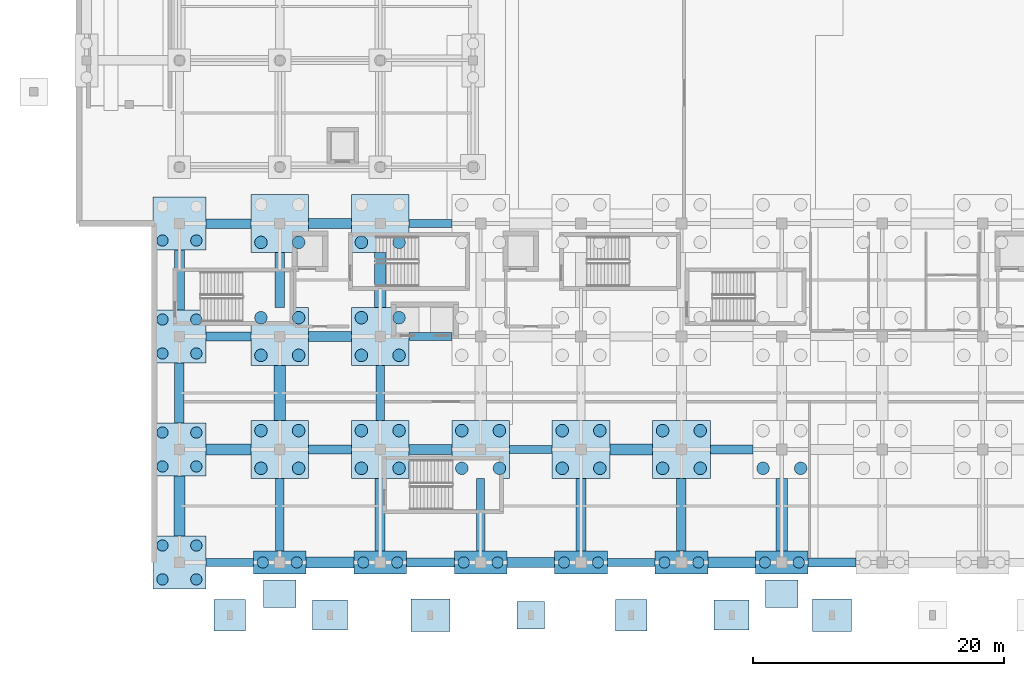
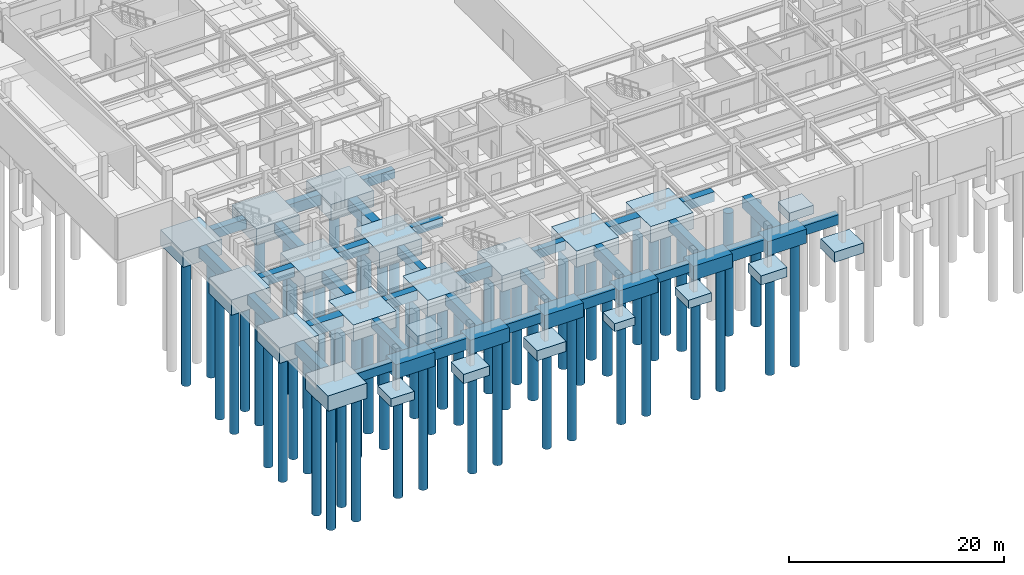
# One storey, part 1 of 48: 60 footings, 60 piles.
"""IFC4 building model written with IfcOpenShell, lengths in metres."""

from ifc_helpers import new_model, si_unit, direction, frame, origin, origin_2d, place, context, subcontext, project, spatial, polyline, rectangle, circle, outline, extrude, material, layer, layer_set, material_profile, profile_set, type_object, element, save


model = new_model("IFC4")

# Units and contexts
model_context = context("Model", 3, precision=1e-05, world=origin(), true_north=direction((0.0, 1.0)))
body_context = subcontext(model_context, "Body", "Model", "MODEL_VIEW")
ifc_project = project(units=[si_unit("LENGTHUNIT", "METRE"), si_unit("AREAUNIT", "SQUARE_METRE"), si_unit("VOLUMEUNIT", "CUBIC_METRE"), si_unit("PLANEANGLEUNIT", "RADIAN"), si_unit("MASSUNIT", "GRAM", prefix="KILO")], contexts=[model_context])

# Site, building, storey
site_placement = place(None, origin())
site = spatial("IfcSite", under=ifc_project, at=site_placement, CompositionType="ELEMENT")
building_placement = place(site_placement, origin())
building = spatial("IfcBuilding", under=site, at=building_placement, Name="Tlacozan Convention Centre", CompositionType="ELEMENT")
storey_placement = place(building_placement, frame((0.0, 0.0, -4.800048828125)))
storey = spatial("IfcBuildingStorey", under=building, at=storey_placement, Name="B01", CompositionType="ELEMENT", Elevation=-4.800048828125)

# Footings
ifc_material = material(Name="Concrete C35/45", Category="concrete")
ifc_layer_1 = layer(ifc_material, 1.0)
ifc_layer_set_1 = layer_set([ifc_layer_1], Name="Concrete C35/45")
footing_type_1 = type_object("IfcFootingType", Name="Foundation Tie Beam 650x1000", PredefinedType="FOOTING_BEAM", material=ifc_layer_set_1)
footing_1_placement = place(storey_placement, frame((0.0, 0.0, -1.0)))
element("IfcFooting", 1, at=footing_1_placement, inside=storey, type_object=footing_type_1, Name="Foundation Tie Beam X-1", PredefinedType="FOOTING_BEAM", context=body_context, shape_type="SweptSolid", body=[
    extrude(outline(polyline([(10.10009765625, -0.324951171875), (13.89990234375, -0.324951171875), (13.89990234375, 0.324951171875), (10.10009765625, 0.324951171875), (10.10009765625, -0.324951171875)])), origin(), (0.0, 0.0, 1.0), 1.0),
])
footing_2_placement = place(storey_placement, frame((0.0, 0.0, -1.0)))
element("IfcFooting", 2, at=footing_2_placement, inside=storey, type_object=footing_type_1, Name="Foundation Tie Beam X-5", PredefinedType="FOOTING_BEAM", context=body_context, shape_type="SweptSolid", body=[
    extrude(outline(polyline([(42.10009765625, -0.324951171875), (45.89990234375, -0.324951171875), (45.89990234375, 0.324951171875), (42.10009765625, 0.324951171875), (42.10009765625, -0.324951171875)])), origin(), (0.0, 0.0, 1.0), 1.0),
])
footing_3_placement = place(storey_placement, frame((0.0, 0.0, -1.0)))
element("IfcFooting", 3, at=footing_3_placement, inside=storey, type_object=footing_type_1, Name="Foundation Tie Beam X-17", PredefinedType="FOOTING_BEAM", context=body_context, shape_type="SweptSolid", body=[
    extrude(outline(polyline([(34.300048828125, 8.675048828125), (37.699951171875, 8.675048828125), (37.699951171875, 9.324951171875), (34.300048828125, 9.324951171875), (34.300048828125, 8.675048828125)])), origin(), (0.0, 0.0, 1.0), 1.0),
])
footing_4_placement = place(storey_placement, frame((0.0, 0.0, -1.0)))
element("IfcFooting", 4, at=footing_4_placement, inside=storey, type_object=footing_type_1, Name="Foundation Tie Beam X-29", PredefinedType="FOOTING_BEAM", context=body_context, shape_type="SweptSolid", body=[
    extrude(outline(polyline([(26.300048828125, 17.675048828125), (29.699951171875, 17.675048828125), (29.699951171875, 18.324951171875), (26.300048828125, 18.324951171875), (26.300048828125, 17.675048828125)])), origin(), (0.0, 0.0, 1.0), 1.0),
])
footing_5_placement = place(storey_placement, frame((0.0, 0.0, -1.0)))
element("IfcFooting", 5, at=footing_5_placement, inside=storey, type_object=footing_type_1, Name="Foundation Tie Beam X-49", PredefinedType="FOOTING_BEAM", context=body_context, shape_type="SweptSolid", body=[
    extrude(outline(polyline([(26.300048828125, 26.675048828125), (29.699951171875, 26.675048828125), (29.699951171875, 27.324951171875), (26.300048828125, 27.324951171875), (26.300048828125, 26.675048828125)])), origin(), (0.0, 0.0, 1.0), 1.0),
])
footing_6_placement = place(storey_placement, frame((0.0, 0.0, -1.0)))
element("IfcFooting", 6, at=footing_6_placement, inside=storey, type_object=footing_type_1, Name="Foundation Tie Beam Y-341", PredefinedType="FOOTING_BEAM", context=body_context, shape_type="SweptSolid", body=[
    extrude(outline(polyline([(15.675048828125, 0.89990234375), (16.324951171875, 0.89990234375), (16.324951171875, 6.699951171875), (15.675048828125, 6.699951171875), (15.675048828125, 0.89990234375)])), origin(), (0.0, 0.0, 1.0), 1.0),
])
footing_7_placement = place(storey_placement, frame((0.0, 0.0, -1.0)))
element("IfcFooting", 7, at=footing_7_placement, inside=storey, type_object=footing_type_1, Name="Foundation Tie Beam Y-357", PredefinedType="FOOTING_BEAM", context=body_context, shape_type="SweptSolid", body=[
    extrude(outline(polyline([(23.675048828125, 11.300048828125), (24.324951171875, 11.300048828125), (24.324951171875, 15.699951171875), (23.675048828125, 15.699951171875), (23.675048828125, 11.300048828125)])), origin(), (0.0, 0.0, 1.0), 1.0),
])
footing_8_placement = place(storey_placement, frame((0.0, 0.0, -1.0)))
element("IfcFooting", 8, at=footing_8_placement, inside=storey, type_object=footing_type_1, Name="Foundation Tie Beam Y-373", PredefinedType="FOOTING_BEAM", context=body_context, shape_type="SweptSolid", body=[
    extrude(outline(polyline([(31.675048828125, 0.89990234375), (32.324951171875, 0.89990234375), (32.324951171875, 6.699951171875), (31.675048828125, 6.699951171875), (31.675048828125, 0.89990234375)])), origin(), (0.0, 0.0, 1.0), 1.0),
])
ifc_layer_2 = layer(ifc_material, 1.10009765625)
ifc_layer_set_2 = layer_set([ifc_layer_2], Name="Concrete C35/45")
footing_type_2 = type_object("IfcFootingType", Name="Foundation Tie Beam 750x1100", PredefinedType="FOOTING_BEAM", material=ifc_layer_set_2)
footing_9_placement = place(storey_placement, frame((0.0, 0.0, -1.099853515625)))
element("IfcFooting", 9, at=footing_9_placement, inside=storey, type_object=footing_type_2, Name="Foundation Tie Beam X-3", PredefinedType="FOOTING_BEAM", context=body_context, shape_type="SweptSolid", body=[
    extrude(outline(polyline([(26.10009765625, -0.375), (29.89990234375, -0.375), (29.89990234375, 0.375), (26.10009765625, 0.375), (26.10009765625, -0.375)])), origin(), (0.0, 0.0, 1.0), 1.099853515625),
])
footing_10_placement = place(storey_placement, frame((0.0, 0.0, -1.099853515625)))
element("IfcFooting", 10, at=footing_10_placement, inside=storey, type_object=footing_type_2, Name="Foundation Tie Beam X-7", PredefinedType="FOOTING_BEAM", context=body_context, shape_type="SweptSolid", body=[
    extrude(outline(polyline([(58.10009765625, -0.375), (61.89990234375, -0.375), (61.89990234375, 0.375), (58.10009765625, 0.375), (58.10009765625, -0.375)])), origin(), (0.0, 0.0, 1.0), 1.099853515625),
])
footing_11_placement = place(storey_placement, frame((0.0, 0.0, -1.099853515625)))
element("IfcFooting", 11, at=footing_11_placement, inside=storey, type_object=footing_type_2, Name="Foundation Tie Beam X-15", PredefinedType="FOOTING_BEAM", context=body_context, shape_type="SweptSolid", body=[
    extrude(outline(polyline([(18.300048828125, 8.625), (21.699951171875, 8.625), (21.699951171875, 9.375), (18.300048828125, 9.375), (18.300048828125, 8.625)])), origin(), (0.0, 0.0, 1.0), 1.099853515625),
])
footing_12_placement = place(storey_placement, frame((0.0, 0.0, -1.099853515625)))
element("IfcFooting", 12, at=footing_12_placement, inside=storey, type_object=footing_type_2, Name="Foundation Tie Beam X-19", PredefinedType="FOOTING_BEAM", context=body_context, shape_type="SweptSolid", body=[
    extrude(outline(polyline([(50.300048828125, 8.625), (53.699951171875, 8.625), (53.699951171875, 9.375), (50.300048828125, 9.375), (50.300048828125, 8.625)])), origin(), (0.0, 0.0, 1.0), 1.099853515625),
])
footing_13_placement = place(storey_placement, frame((0.0, 0.0, -1.099853515625)))
element("IfcFooting", 13, at=footing_13_placement, inside=storey, type_object=footing_type_2, Name="Foundation Tie Beam X-27", PredefinedType="FOOTING_BEAM", context=body_context, shape_type="SweptSolid", body=[
    extrude(outline(polyline([(10.10009765625, 17.625), (13.699951171875, 17.625), (13.699951171875, 18.375), (10.10009765625, 18.375), (10.10009765625, 17.625)])), origin(), (0.0, 0.0, 1.0), 1.099853515625),
])
footing_14_placement = place(storey_placement, frame((0.0, 0.0, -1.099853515625)))
element("IfcFooting", 14, at=footing_14_placement, inside=storey, type_object=footing_type_2, Name="Foundation Tie Beam X-47", PredefinedType="FOOTING_BEAM", context=body_context, shape_type="SweptSolid", body=[
    extrude(outline(polyline([(10.10009765625, 26.625), (13.699951171875, 26.625), (13.699951171875, 27.375), (10.10009765625, 27.375), (10.10009765625, 26.625)])), origin(), (0.0, 0.0, 1.0), 1.099853515625),
])
footing_15_placement = place(storey_placement, frame((0.0, 0.0, -1.099853515625)))
element("IfcFooting", 15, at=footing_15_placement, inside=storey, type_object=footing_type_2, Name="Foundation Tie Beam Y-327", PredefinedType="FOOTING_BEAM", context=body_context, shape_type="SweptSolid", body=[
    extrude(outline(polyline([(7.625, 11.10009765625), (8.375, 11.10009765625), (8.375, 15.89990234375), (7.625, 15.89990234375), (7.625, 11.10009765625)])), origin(), (0.0, 0.0, 1.0), 1.099853515625),
])
footing_16_placement = place(storey_placement, frame((0.0, 0.0, -1.099853515625)))
element("IfcFooting", 16, at=footing_16_placement, inside=storey, type_object=footing_type_2, Name="Foundation Tie Beam Y-343", PredefinedType="FOOTING_BEAM", context=body_context, shape_type="SweptSolid", body=[
    extrude(outline(polyline([(15.625, 20.300048828125), (16.375, 20.300048828125), (16.375, 24.699951171875), (15.625, 24.699951171875), (15.625, 20.300048828125)])), origin(), (0.0, 0.0, 1.0), 1.099853515625),
])
footing_17_placement = place(storey_placement, frame((0.0, 0.0, -1.099853515625)))
element("IfcFooting", 17, at=footing_17_placement, inside=storey, type_object=footing_type_2, Name="Foundation Tie Beam Y-395", PredefinedType="FOOTING_BEAM", context=body_context, shape_type="SweptSolid", body=[
    extrude(outline(polyline([(47.625, 0.89990234375), (48.375, 0.89990234375), (48.375, 6.699951171875), (47.625, 6.699951171875), (47.625, 0.89990234375)])), origin(), (0.0, 0.0, 1.0), 1.099853515625),
])
ifc_layer_3 = layer(ifc_material, 1.199951171875)
ifc_layer_set_3 = layer_set([ifc_layer_3], Name="Concrete C35/45")
footing_type_3 = type_object("IfcFootingType", Name="Foundation Tie Beam 800x1200", PredefinedType="FOOTING_BEAM", material=ifc_layer_set_3)
footing_18_placement = place(storey_placement, frame((0.0, 0.0, -1.199951171875)))
element("IfcFooting", 18, at=footing_18_placement, inside=storey, type_object=footing_type_3, Name="Foundation Tie Beam X-4", PredefinedType="FOOTING_BEAM", context=body_context, shape_type="SweptSolid", body=[
    extrude(outline(polyline([(34.10009765625, -0.39990234375), (37.89990234375, -0.39990234375), (37.89990234375, 0.39990234375), (34.10009765625, 0.39990234375), (34.10009765625, -0.39990234375)])), origin(), (0.0, 0.0, 1.0), 1.199951171875),
])
footing_19_placement = place(storey_placement, frame((0.0, 0.0, -1.199951171875)))
element("IfcFooting", 19, at=footing_19_placement, inside=storey, type_object=footing_type_3, Name="Foundation Tie Beam X-16", PredefinedType="FOOTING_BEAM", context=body_context, shape_type="SweptSolid", body=[
    extrude(outline(polyline([(26.300048828125, 8.60009765625), (29.699951171875, 8.60009765625), (29.699951171875, 9.39990234375), (26.300048828125, 9.39990234375), (26.300048828125, 8.60009765625)])), origin(), (0.0, 0.0, 1.0), 1.199951171875),
])
footing_20_placement = place(storey_placement, frame((0.0, 0.0, -1.199951171875)))
element("IfcFooting", 20, at=footing_20_placement, inside=storey, type_object=footing_type_3, Name="Foundation Tie Beam X-28", PredefinedType="FOOTING_BEAM", context=body_context, shape_type="SweptSolid", body=[
    extrude(outline(polyline([(18.300048828125, 17.60009765625), (21.699951171875, 17.60009765625), (21.699951171875, 18.39990234375), (18.300048828125, 18.39990234375), (18.300048828125, 17.60009765625)])), origin(), (0.0, 0.0, 1.0), 1.199951171875),
])
footing_21_placement = place(storey_placement, frame((0.0, 0.0, -1.199951171875)))
element("IfcFooting", 21, at=footing_21_placement, inside=storey, type_object=footing_type_3, Name="Foundation Tie Beam X-48", PredefinedType="FOOTING_BEAM", context=body_context, shape_type="SweptSolid", body=[
    extrude(outline(polyline([(18.300048828125, 26.60009765625), (21.699951171875, 26.60009765625), (21.699951171875, 27.39990234375), (18.300048828125, 27.39990234375), (18.300048828125, 26.60009765625)])), origin(), (0.0, 0.0, 1.0), 1.199951171875),
])
footing_22_placement = place(storey_placement, frame((0.0, 0.0, -1.199951171875)))
element("IfcFooting", 22, at=footing_22_placement, inside=storey, type_object=footing_type_3, Name="Foundation Tie Beam Y-328", PredefinedType="FOOTING_BEAM", context=body_context, shape_type="SweptSolid", body=[
    extrude(outline(polyline([(7.60009765625, 20.10009765625), (8.39990234375, 20.10009765625), (8.39990234375, 24.89990234375), (7.60009765625, 24.89990234375), (7.60009765625, 20.10009765625)])), origin(), (0.0, 0.0, 1.0), 1.199951171875),
])
footing_23_placement = place(storey_placement, frame((0.0, 0.0, -1.199951171875)))
element("IfcFooting", 23, at=footing_23_placement, inside=storey, type_object=footing_type_3, Name="Foundation Tie Beam Y-356", PredefinedType="FOOTING_BEAM", context=body_context, shape_type="SweptSolid", body=[
    extrude(outline(polyline([(23.60009765625, 0.89990234375), (24.39990234375, 0.89990234375), (24.39990234375, 6.699951171875), (23.60009765625, 6.699951171875), (23.60009765625, 0.89990234375)])), origin(), (0.0, 0.0, 1.0), 1.199951171875),
])
footing_24_placement = place(storey_placement, frame((0.0, 0.0, -1.199951171875)))
element("IfcFooting", 24, at=footing_24_placement, inside=storey, type_object=footing_type_3, Name="Foundation Tie Beam Y-384", PredefinedType="FOOTING_BEAM", context=body_context, shape_type="SweptSolid", body=[
    extrude(outline(polyline([(39.60009765625, 0.89990234375), (40.39990234375, 0.89990234375), (40.39990234375, 6.699951171875), (39.60009765625, 6.699951171875), (39.60009765625, 0.89990234375)])), origin(), (0.0, 0.0, 1.0), 1.199951171875),
])
ifc_layer_4 = layer(ifc_material, 1.300048828125)
ifc_layer_set_4 = layer_set([ifc_layer_4], Name="Concrete C35/45")
footing_type_4 = type_object("IfcFootingType", Name="Foundation Tie Beam 900x1300", PredefinedType="FOOTING_BEAM", material=ifc_layer_set_4)
footing_25_placement = place(storey_placement, frame((0.0, 0.0, -1.300048828125)))
element("IfcFooting", 25, at=footing_25_placement, inside=storey, type_object=footing_type_4, Name="Foundation Tie Beam X-2", PredefinedType="FOOTING_BEAM", context=body_context, shape_type="SweptSolid", body=[
    extrude(outline(polyline([(18.10009765625, -0.449951171875), (21.89990234375, -0.449951171875), (21.89990234375, 0.449951171875), (18.10009765625, 0.449951171875), (18.10009765625, -0.449951171875)])), origin(), (0.0, 0.0, 1.0), 1.300048828125),
])
footing_26_placement = place(storey_placement, frame((0.0, 0.0, -1.300048828125)))
element("IfcFooting", 26, at=footing_26_placement, inside=storey, type_object=footing_type_4, Name="Foundation Tie Beam X-6", PredefinedType="FOOTING_BEAM", context=body_context, shape_type="SweptSolid", body=[
    extrude(outline(polyline([(50.10009765625, -0.449951171875), (53.89990234375, -0.449951171875), (53.89990234375, 0.449951171875), (50.10009765625, 0.449951171875), (50.10009765625, -0.449951171875)])), origin(), (0.0, 0.0, 1.0), 1.300048828125),
])
footing_27_placement = place(storey_placement, frame((0.0, 0.0, -1.300048828125)))
element("IfcFooting", 27, at=footing_27_placement, inside=storey, type_object=footing_type_4, Name="Foundation Tie Beam X-14", PredefinedType="FOOTING_BEAM", context=body_context, shape_type="SweptSolid", body=[
    extrude(outline(polyline([(10.10009765625, 8.550048828125), (13.699951171875, 8.550048828125), (13.699951171875, 9.449951171875), (10.10009765625, 9.449951171875), (10.10009765625, 8.550048828125)])), origin(), (0.0, 0.0, 1.0), 1.300048828125),
])
footing_28_placement = place(storey_placement, frame((0.0, 0.0, -1.300048828125)))
element("IfcFooting", 28, at=footing_28_placement, inside=storey, type_object=footing_type_4, Name="Foundation Tie Beam X-18", PredefinedType="FOOTING_BEAM", context=body_context, shape_type="SweptSolid", body=[
    extrude(outline(polyline([(42.300048828125, 8.550048828125), (45.699951171875, 8.550048828125), (45.699951171875, 9.449951171875), (42.300048828125, 9.449951171875), (42.300048828125, 8.550048828125)])), origin(), (0.0, 0.0, 1.0), 1.300048828125),
])
footing_29_placement = place(storey_placement, frame((0.0, 0.0, -1.300048828125)))
element("IfcFooting", 29, at=footing_29_placement, inside=storey, type_object=footing_type_4, Name="Foundation Tie Beam Y-326", PredefinedType="FOOTING_BEAM", context=body_context, shape_type="SweptSolid", body=[
    extrude(outline(polyline([(7.550048828125, 2.10009765625), (8.449951171875, 2.10009765625), (8.449951171875, 6.89990234375), (7.550048828125, 6.89990234375), (7.550048828125, 2.10009765625)])), origin(), (0.0, 0.0, 1.0), 1.300048828125),
])
footing_30_placement = place(storey_placement, frame((0.0, 0.0, -1.300048828125)))
element("IfcFooting", 30, at=footing_30_placement, inside=storey, type_object=footing_type_4, Name="Foundation Tie Beam Y-342", PredefinedType="FOOTING_BEAM", context=body_context, shape_type="SweptSolid", body=[
    extrude(outline(polyline([(15.550048828125, 11.300048828125), (16.449951171875, 11.300048828125), (16.449951171875, 15.699951171875), (15.550048828125, 15.699951171875), (15.550048828125, 11.300048828125)])), origin(), (0.0, 0.0, 1.0), 1.300048828125),
])
footing_31_placement = place(storey_placement, frame((0.0, 0.0, -1.300048828125)))
element("IfcFooting", 31, at=footing_31_placement, inside=storey, type_object=footing_type_4, Name="Foundation Tie Beam Y-358", PredefinedType="FOOTING_BEAM", context=body_context, shape_type="SweptSolid", body=[
    extrude(outline(polyline([(23.550048828125, 20.300048828125), (24.449951171875, 20.300048828125), (24.449951171875, 24.699951171875), (23.550048828125, 24.699951171875), (23.550048828125, 20.300048828125)])), origin(), (0.0, 0.0, 1.0), 1.300048828125),
])
footing_32_placement = place(storey_placement, frame((0.0, 0.0, -1.300048828125)))
element("IfcFooting", 32, at=footing_32_placement, inside=storey, type_object=footing_type_4, Name="Foundation Tie Beam Y-406", PredefinedType="FOOTING_BEAM", context=body_context, shape_type="SweptSolid", body=[
    extrude(outline(polyline([(55.550048828125, 0.89990234375), (56.449951171875, 0.89990234375), (56.449951171875, 6.699951171875), (55.550048828125, 6.699951171875), (55.550048828125, 0.89990234375)])), origin(), (0.0, 0.0, 1.0), 1.300048828125),
])
ifc_layer_5 = layer(ifc_material, 0.89990234375)
ifc_layer_set_5 = layer_set([ifc_layer_5], Name="Concrete C35/45")
footing_type_5 = type_object("IfcFootingType", Name="Pad Footing 2200x2200x900", PredefinedType="PAD_FOOTING", material=ifc_layer_set_5)
footing_33_placement = place(storey_placement, frame((36.0, -4.199951171875, -0.89990234375), z_axis=(0.0, 0.0, 1.0), x_axis=(1.0, 0.0, 0.0)))
element("IfcFooting", 33, at=footing_33_placement, inside=storey, type_object=footing_type_5, Name="Promenade Pier Pad Footing 4", PredefinedType="PAD_FOOTING", context=body_context, shape_type="SweptSolid", body=[
    extrude(rectangle(XDim=2.199951171875, YDim=2.199951171875, at=origin_2d()), origin(), (0.0, 0.0, 1.0), 0.89990234375),
])
ifc_layer_6 = layer(ifc_material, 0.949951171875)
ifc_layer_set_6 = layer_set([ifc_layer_6], Name="Concrete C35/45")
footing_type_6 = type_object("IfcFootingType", Name="Pad Footing 2500x2500x950", PredefinedType="PAD_FOOTING", material=ifc_layer_set_6)
for number, where, z_axis, x_axis, name in (
    (34, (12.0, -4.199951171875, -0.94970703125), (0.0, 0.0, 1.0), (1.0, 0.0, 0.0), "Promenade Pier Pad Footing 1"),
    (35, (44.0, -4.199951171875, -0.94970703125), (0.0, 0.0, 1.0), (1.0, 0.0, 0.0), "Promenade Pier Pad Footing 5"),
):
    element("IfcFooting", number, at=place(storey_placement, frame(where, z_axis=z_axis, x_axis=x_axis)), inside=storey, type_object=footing_type_6, Name=name, PredefinedType="PAD_FOOTING", context=body_context, shape_type="SweptSolid", body=[
        extrude(rectangle(XDim=2.5, YDim=2.5, at=origin_2d()), origin(), (0.0, 0.0, 1.0), 0.949951171875),
    ])
for number, where, z_axis, x_axis, name in (
    (36, (16.0, -2.5, 3.66015625), (0.0, 0.0, 1.0), (1.0, 0.0, 0.0), "Accessible Ramp Grade Toe Footing 1"),
    (37, (56.0, -2.5, 3.66015625), (0.0, 0.0, 1.0), (1.0, 0.0, 0.0), "Accessible Ramp Grade Toe Footing 2"),
):
    element("IfcFooting", number, at=place(storey_placement, frame(where, z_axis=z_axis, x_axis=x_axis)), inside=storey, type_object=footing_type_6, Name=name, PredefinedType="PAD_FOOTING", context=body_context, shape_type="SweptSolid", body=[
        extrude(rectangle(XDim=2.60009765625, YDim=2.199951171875, at=origin_2d()), origin(), (0.0, 0.0, 1.0), 0.9599609375),
    ])
ifc_layer_7 = layer(ifc_material, 1.050048828125)
ifc_layer_set_7 = layer_set([ifc_layer_7], Name="Concrete C35/45")
footing_type_7 = type_object("IfcFootingType", Name="Pad Footing 2800x2400x1050", PredefinedType="PAD_FOOTING", material=ifc_layer_set_7)
for number, where, z_axis, x_axis, name in (
    (38, (20.0, -4.199951171875, -1.0498046875), (0.0, 0.0, 1.0), (1.0, 0.0, 0.0), "Promenade Pier Pad Footing 2"),
    (39, (52.0, -4.199951171875, -1.0498046875), (0.0, 0.0, 1.0), (1.0, 0.0, 0.0), "Promenade Pier Pad Footing 6"),
):
    element("IfcFooting", number, at=place(storey_placement, frame(where, z_axis=z_axis, x_axis=x_axis)), inside=storey, type_object=footing_type_7, Name=name, PredefinedType="PAD_FOOTING", context=body_context, shape_type="SweptSolid", body=[
        extrude(rectangle(XDim=2.800048828125, YDim=2.39990234375, at=origin_2d()), origin(), (0.0, 0.0, 1.0), 1.050048828125),
    ])
ifc_layer_8 = layer(ifc_material, 1.14990234375)
ifc_layer_set_8 = layer_set([ifc_layer_8], Name="Concrete C35/45")
footing_type_8 = type_object("IfcFootingType", Name="Pad Footing 3100x2600x1150", PredefinedType="PAD_FOOTING", material=ifc_layer_set_8)
for number, where, z_axis, x_axis, name in (
    (40, (28.0, -4.199951171875, -1.14990234375), (0.0, 0.0, 1.0), (1.0, 0.0, 0.0), "Promenade Pier Pad Footing 3"),
    (41, (60.0, -4.199951171875, -1.14990234375), (0.0, 0.0, 1.0), (1.0, 0.0, 0.0), "Promenade Pier Pad Footing 7"),
):
    element("IfcFooting", number, at=place(storey_placement, frame(where, z_axis=z_axis, x_axis=x_axis)), inside=storey, type_object=footing_type_8, Name=name, PredefinedType="PAD_FOOTING", context=body_context, shape_type="SweptSolid", body=[
        extrude(rectangle(XDim=3.10009765625, YDim=2.60009765625, at=origin_2d()), origin(), (0.0, 0.0, 1.0), 1.14990234375),
    ])
ifc_layer_9 = layer(ifc_material, 1.60009765625)
ifc_layer_set_9 = layer_set([ifc_layer_9], Name="Concrete C35/45")
footing_type_9 = type_object("IfcFootingType", Name="Pile Cap 2P 4200x1800x1600", PredefinedType="PILE_CAP", material=ifc_layer_set_9)
for number, where, z_axis, x_axis, name in (
    (42, (16.0, 0.0, -1.60009765625), (0.0, 0.0, 1.0), (1.0, 0.0, 0.0), "Pile Cap PC-03 (30)"),
    (43, (24.0, 0.0, -1.60009765625), (0.0, 0.0, 1.0), (1.0, 0.0, 0.0), "Pile Cap PC-03 (47)"),
    (44, (32.0, 0.0, -1.60009765625), (0.0, 0.0, 1.0), (1.0, 0.0, 0.0), "Pile Cap PC-03 (68)"),
    (45, (40.0, 0.0, -1.60009765625), (0.0, 0.0, 1.0), (1.0, 0.0, 0.0), "Pile Cap PC-03 (81)"),
    (46, (48.0, 0.0, -1.60009765625), (0.0, 0.0, 1.0), (1.0, 0.0, 0.0), "Pile Cap PC-03 (94)"),
    (47, (56.0, 0.0, -1.60009765625), (0.0, 0.0, 1.0), (1.0, 0.0, 0.0), "Pile Cap PC-03 (107)"),
):
    element("IfcFooting", number, at=place(storey_placement, frame(where, z_axis=z_axis, x_axis=x_axis)), inside=storey, type_object=footing_type_9, Name=name, PredefinedType="PILE_CAP", context=body_context, shape_type="SweptSolid", body=[
        extrude(rectangle(XDim=4.199951171875, YDim=1.800048828125, at=origin_2d()), origin(), (0.0, 0.0, 1.0), 1.60009765625),
    ])
ifc_layer_10 = layer(ifc_material, 1.75)
ifc_layer_set_10 = layer_set([ifc_layer_10], Name="Concrete C35/45")
footing_type_10 = type_object("IfcFootingType", Name="Pile Cap 4P 4200x4200x1750", PredefinedType="PILE_CAP", material=ifc_layer_set_10)
for number, where, z_axis, x_axis, name in (
    (48, (8.0, 0.0, -1.75), (0.0, 0.0, 1.0), (1.0, 0.0, 0.0), "Pile Cap PC-06 (13)"),
    (49, (8.0, 9.0, -1.75), (0.0, 0.0, 1.0), (1.0, 0.0, 0.0), "Pile Cap PC-06 (14)"),
    (50, (8.0, 18.0, -1.75), (0.0, 0.0, 1.0), (1.0, 0.0, 0.0), "Pile Cap PC-06 (15)"),
    (51, (8.0, 27.0, -1.75), (0.0, 0.0, 1.0), (1.0, 0.0, 0.0), "Pile Cap PC-06 (16)"),
):
    element("IfcFooting", number, at=place(storey_placement, frame(where, z_axis=z_axis, x_axis=x_axis)), inside=storey, type_object=footing_type_10, Name=name, PredefinedType="PILE_CAP", context=body_context, shape_type="SweptSolid", body=[
        extrude(rectangle(XDim=4.199951171875, YDim=4.199951171875, at=origin_2d()), origin(), (0.0, 0.0, 1.0), 1.75),
    ])
ifc_layer_11 = layer(ifc_material, 1.85009765625)
ifc_layer_set_11 = layer_set([ifc_layer_11], Name="Concrete C35/45")
footing_type_11 = type_object("IfcFootingType", Name="Pile Cap 4P 4600x4600x1850", PredefinedType="PILE_CAP", material=ifc_layer_set_11)
for number, where, z_axis, x_axis, name in (
    (52, (16.0, 9.0, -1.85009765625), (0.0, 0.0, 1.0), (1.0, 0.0, 0.0), "Pile Cap PC-07 (31)"),
    (53, (16.0, 18.0, -1.85009765625), (0.0, 0.0, 1.0), (1.0, 0.0, 0.0), "Pile Cap PC-07 (32)"),
    (54, (16.0, 27.0, -1.85009765625), (0.0, 0.0, 1.0), (1.0, 0.0, 0.0), "Pile Cap PC-07 (33)"),
    (55, (24.0, 9.0, -1.85009765625), (0.0, 0.0, 1.0), (1.0, 0.0, 0.0), "Pile Cap PC-07 (48)"),
    (56, (24.0, 18.0, -1.85009765625), (0.0, 0.0, 1.0), (1.0, 0.0, 0.0), "Pile Cap PC-07 (49)"),
    (57, (24.0, 27.0, -1.85009765625), (0.0, 0.0, 1.0), (1.0, 0.0, 0.0), "Pile Cap PC-07 (50)"),
    (58, (32.0, 9.0, -1.85009765625), (0.0, 0.0, 1.0), (1.0, 0.0, 0.0), "Pile Cap PC-07 (69)"),
    (59, (40.0, 9.0, -1.85009765625), (0.0, 0.0, 1.0), (1.0, 0.0, 0.0), "Pile Cap PC-07 (82)"),
    (60, (48.0, 9.0, -1.85009765625), (0.0, 0.0, 1.0), (1.0, 0.0, 0.0), "Pile Cap PC-07 (95)"),
):
    element("IfcFooting", number, at=place(storey_placement, frame(where, z_axis=z_axis, x_axis=x_axis)), inside=storey, type_object=footing_type_11, Name=name, PredefinedType="PILE_CAP", context=body_context, shape_type="SweptSolid", body=[
        extrude(rectangle(XDim=4.60009765625, YDim=4.60009765625, at=origin_2d()), origin(), (0.0, 0.0, 1.0), 1.85009765625),
    ])

# Piles
ifc_material_profile_1 = material_profile(ifc_material, circle(Radius=0.5, at=origin_2d()), Name="PILE D1000")
ifc_profile_set_1 = profile_set([ifc_material_profile_1], Name="Concrete C35/45")
pile_type_1 = type_object("IfcPileType", Name="Pile D1000 Bored", PredefinedType="BORED", material=ifc_profile_set_1)
for number, where, z_axis, x_axis, name in (
    (61, (14.5, 7.5, -1.72998046875), (0.0, 0.0, -1.0), (1.0, 0.0, 0.0), "Bored Pile 61"),
    (62, (17.5, 7.5, -1.72998046875), (0.0, 0.0, -1.0), (1.0, 0.0, 0.0), "Bored Pile 62"),
    (63, (14.5, 10.5, -1.72998046875), (0.0, 0.0, -1.0), (1.0, 0.0, 0.0), "Bored Pile 63"),
    (64, (17.5, 10.5, -1.72998046875), (0.0, 0.0, -1.0), (1.0, 0.0, 0.0), "Bored Pile 64"),
    (65, (14.5, 16.5, -1.72998046875), (0.0, 0.0, -1.0), (1.0, 0.0, 0.0), "Bored Pile 65"),
    (66, (17.5, 16.5, -1.72998046875), (0.0, 0.0, -1.0), (1.0, 0.0, 0.0), "Bored Pile 66"),
    (67, (14.5, 19.5, -1.72998046875), (0.0, 0.0, -1.0), (1.0, 0.0, 0.0), "Bored Pile 67"),
    (68, (17.5, 19.5, -1.72998046875), (0.0, 0.0, -1.0), (1.0, 0.0, 0.0), "Bored Pile 68"),
    (69, (14.5, 25.5, -1.72998046875), (0.0, 0.0, -1.0), (1.0, 0.0, 0.0), "Bored Pile 69"),
    (70, (17.5, 25.5, -1.72998046875), (0.0, 0.0, -1.0), (1.0, 0.0, 0.0), "Bored Pile 70"),
    (71, (22.5, 7.5, -1.72998046875), (0.0, 0.0, -1.0), (1.0, 0.0, 0.0), "Bored Pile 90"),
    (72, (25.5, 7.5, -1.72998046875), (0.0, 0.0, -1.0), (1.0, 0.0, 0.0), "Bored Pile 91"),
    (73, (22.5, 10.5, -1.72998046875), (0.0, 0.0, -1.0), (1.0, 0.0, 0.0), "Bored Pile 92"),
    (74, (25.5, 10.5, -1.72998046875), (0.0, 0.0, -1.0), (1.0, 0.0, 0.0), "Bored Pile 93"),
    (75, (22.5, 16.5, -1.72998046875), (0.0, 0.0, -1.0), (1.0, 0.0, 0.0), "Bored Pile 94"),
    (76, (25.5, 16.5, -1.72998046875), (0.0, 0.0, -1.0), (1.0, 0.0, 0.0), "Bored Pile 95"),
    (77, (22.5, 19.5, -1.72998046875), (0.0, 0.0, -1.0), (1.0, 0.0, 0.0), "Bored Pile 96"),
    (78, (25.5, 19.5, -1.72998046875), (0.0, 0.0, -1.0), (1.0, 0.0, 0.0), "Bored Pile 97"),
    (79, (22.5, 25.5, -1.72998046875), (0.0, 0.0, -1.0), (1.0, 0.0, 0.0), "Bored Pile 98"),
    (80, (25.5, 25.5, -1.72998046875), (0.0, 0.0, -1.0), (1.0, 0.0, 0.0), "Bored Pile 99"),
    (81, (30.5, 7.5, -1.72998046875), (0.0, 0.0, -1.0), (1.0, 0.0, 0.0), "Bored Pile 129"),
    (82, (33.5, 7.5, -1.72998046875), (0.0, 0.0, -1.0), (1.0, 0.0, 0.0), "Bored Pile 130"),
    (83, (30.5, 10.5, -1.72998046875), (0.0, 0.0, -1.0), (1.0, 0.0, 0.0), "Bored Pile 131"),
    (84, (33.5, 10.5, -1.72998046875), (0.0, 0.0, -1.0), (1.0, 0.0, 0.0), "Bored Pile 132"),
    (85, (38.5, 7.5, -1.72998046875), (0.0, 0.0, -1.0), (1.0, 0.0, 0.0), "Bored Pile 154"),
    (86, (41.5, 7.5, -1.72998046875), (0.0, 0.0, -1.0), (1.0, 0.0, 0.0), "Bored Pile 155"),
    (87, (38.5, 10.5, -1.72998046875), (0.0, 0.0, -1.0), (1.0, 0.0, 0.0), "Bored Pile 156"),
    (88, (41.5, 10.5, -1.72998046875), (0.0, 0.0, -1.0), (1.0, 0.0, 0.0), "Bored Pile 157"),
    (89, (46.5, 7.5, -1.72998046875), (0.0, 0.0, -1.0), (1.0, 0.0, 0.0), "Bored Pile 179"),
    (90, (49.5, 7.5, -1.72998046875), (0.0, 0.0, -1.0), (1.0, 0.0, 0.0), "Bored Pile 180"),
    (91, (46.5, 10.5, -1.72998046875), (0.0, 0.0, -1.0), (1.0, 0.0, 0.0), "Bored Pile 181"),
    (92, (49.5, 10.5, -1.72998046875), (0.0, 0.0, -1.0), (1.0, 0.0, 0.0), "Bored Pile 182"),
    (93, (54.5, 7.5, -1.72998046875), (0.0, 0.0, -1.0), (1.0, 0.0, 0.0), "Bored Pile 208"),
    (94, (57.5, 7.5, -1.72998046875), (0.0, 0.0, -1.0), (1.0, 0.0, 0.0), "Bored Pile 209"),
):
    element("IfcPile", number, at=place(storey_placement, frame(where, z_axis=z_axis, x_axis=x_axis)), inside=storey, type_object=pile_type_1, Name=name, PredefinedType="BORED", context=body_context, shape_type="SweptSolid", body=[
        extrude(circle(Radius=0.5, at=origin_2d()), origin(), (0.0, 0.0, 1.0), 13.969970703125),
    ])
ifc_material_profile_2 = material_profile(ifc_material, circle(Radius=0.449951171875, at=origin_2d()), Name="PILE D900")
ifc_profile_set_2 = profile_set([ifc_material_profile_2], Name="Concrete C35/45")
pile_type_2 = type_object("IfcPileType", Name="Pile D900 Bored", PredefinedType="BORED", material=ifc_profile_set_2)
for number, where, z_axis, x_axis, name in (
    (95, (6.64990234375, -1.35009765625, -1.6298828125), (0.0, 0.0, -1.0), (1.0, 0.0, 0.0), "Bored Pile 28"),
    (96, (9.35009765625, -1.35009765625, -1.6298828125), (0.0, 0.0, -1.0), (1.0, 0.0, 0.0), "Bored Pile 29"),
    (97, (6.64990234375, 1.35009765625, -1.6298828125), (0.0, 0.0, -1.0), (1.0, 0.0, 0.0), "Bored Pile 30"),
    (98, (9.35009765625, 1.35009765625, -1.6298828125), (0.0, 0.0, -1.0), (1.0, 0.0, 0.0), "Bored Pile 31"),
    (99, (6.64990234375, 7.64990234375, -1.6298828125), (0.0, 0.0, -1.0), (1.0, 0.0, 0.0), "Bored Pile 32"),
    (100, (9.35009765625, 7.64990234375, -1.6298828125), (0.0, 0.0, -1.0), (1.0, 0.0, 0.0), "Bored Pile 33"),
    (101, (6.64990234375, 10.35009765625, -1.6298828125), (0.0, 0.0, -1.0), (1.0, 0.0, 0.0), "Bored Pile 34"),
    (102, (9.35009765625, 10.35009765625, -1.6298828125), (0.0, 0.0, -1.0), (1.0, 0.0, 0.0), "Bored Pile 35"),
    (103, (6.64990234375, 16.64990234375, -1.6298828125), (0.0, 0.0, -1.0), (1.0, 0.0, 0.0), "Bored Pile 36"),
    (104, (9.35009765625, 16.64990234375, -1.6298828125), (0.0, 0.0, -1.0), (1.0, 0.0, 0.0), "Bored Pile 37"),
    (105, (6.64990234375, 19.35009765625, -1.6298828125), (0.0, 0.0, -1.0), (1.0, 0.0, 0.0), "Bored Pile 38"),
    (106, (9.35009765625, 19.35009765625, -1.6298828125), (0.0, 0.0, -1.0), (1.0, 0.0, 0.0), "Bored Pile 39"),
    (107, (6.64990234375, 25.64990234375, -1.6298828125), (0.0, 0.0, -1.0), (1.0, 0.0, 0.0), "Bored Pile 40"),
    (108, (9.35009765625, 25.64990234375, -1.6298828125), (0.0, 0.0, -1.0), (1.0, 0.0, 0.0), "Bored Pile 41"),
):
    element("IfcPile", number, at=place(storey_placement, frame(where, z_axis=z_axis, x_axis=x_axis)), inside=storey, type_object=pile_type_2, Name=name, PredefinedType="BORED", context=body_context, shape_type="SweptSolid", body=[
        extrude(circle(Radius=0.449951171875, at=origin_2d()), origin(), (0.0, 0.0, 1.0), 14.070068359375),
    ])
for number, where, z_axis, x_axis, name in (
    (109, (14.64990234375, 0.0, -1.47998046875), (0.0, 0.0, -1.0), (1.0, 0.0, 0.0), "Bored Pile 59"),
    (110, (17.35009765625, 0.0, -1.47998046875), (0.0, 0.0, -1.0), (1.0, 0.0, 0.0), "Bored Pile 60"),
    (111, (22.64990234375, 0.0, -1.47998046875), (0.0, 0.0, -1.0), (1.0, 0.0, 0.0), "Bored Pile 88"),
    (112, (25.35009765625, 0.0, -1.47998046875), (0.0, 0.0, -1.0), (1.0, 0.0, 0.0), "Bored Pile 89"),
    (113, (30.64990234375, 0.0, -1.47998046875), (0.0, 0.0, -1.0), (1.0, 0.0, 0.0), "Bored Pile 127"),
    (114, (33.35009765625, 0.0, -1.47998046875), (0.0, 0.0, -1.0), (1.0, 0.0, 0.0), "Bored Pile 128"),
    (115, (38.64990234375, 0.0, -1.47998046875), (0.0, 0.0, -1.0), (1.0, 0.0, 0.0), "Bored Pile 152"),
    (116, (41.35009765625, 0.0, -1.47998046875), (0.0, 0.0, -1.0), (1.0, 0.0, 0.0), "Bored Pile 153"),
    (117, (46.64990234375, 0.0, -1.47998046875), (0.0, 0.0, -1.0), (1.0, 0.0, 0.0), "Bored Pile 177"),
    (118, (49.35009765625, 0.0, -1.47998046875), (0.0, 0.0, -1.0), (1.0, 0.0, 0.0), "Bored Pile 178"),
    (119, (54.64990234375, 0.0, -1.47998046875), (0.0, 0.0, -1.0), (1.0, 0.0, 0.0), "Bored Pile 206"),
    (120, (57.35009765625, 0.0, -1.47998046875), (0.0, 0.0, -1.0), (1.0, 0.0, 0.0), "Bored Pile 207"),
):
    element("IfcPile", number, at=place(storey_placement, frame(where, z_axis=z_axis, x_axis=x_axis)), inside=storey, type_object=pile_type_2, Name=name, PredefinedType="BORED", context=body_context, shape_type="SweptSolid", body=[
        extrude(circle(Radius=0.449951171875, at=origin_2d()), origin(), (0.0, 0.0, 1.0), 14.219970703125),
    ])

save(model, "model.ifc")
